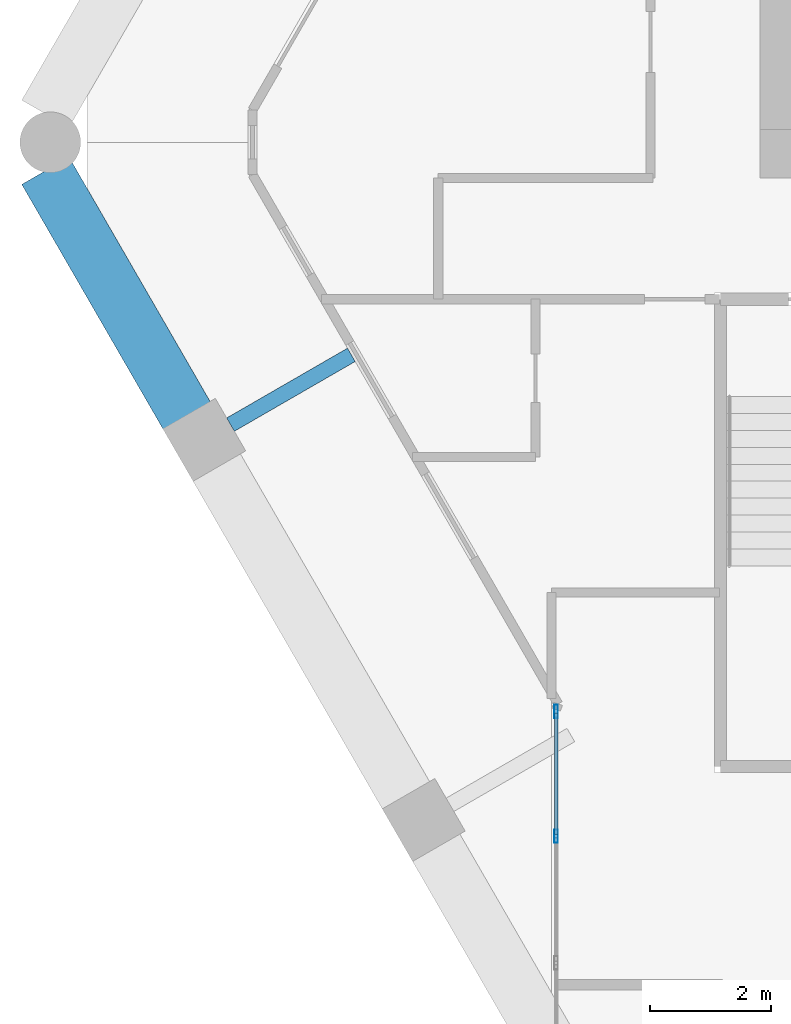
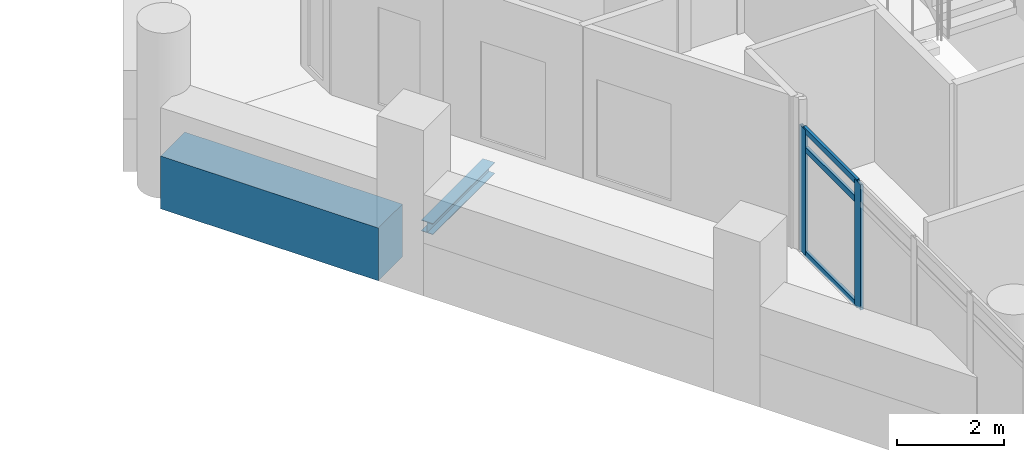
# One storey, part 9 of 29: 5 members, 2 beams, 1 element without a shape of its own.
"""IFC4 building model written with IfcOpenShell, lengths in metres."""

from ifc_helpers import new_model, si_unit, direction, frame, origin, origin_2d, place, context, subcontext, project, spatial, rectangle, hollow_rectangle, i_section, extrude, material, material_profile, profile_set, type_object, element, aggregate, save


model = new_model("IFC4")

# Units and contexts
model_context = context("Model", 3, precision=1e-05, world=origin(), true_north=direction((0.0, 1.0)))
body_context = subcontext(model_context, "Body", "Model", "MODEL_VIEW")
ifc_project = project(units=[si_unit("LENGTHUNIT", "METRE"), si_unit("AREAUNIT", "SQUARE_METRE"), si_unit("VOLUMEUNIT", "CUBIC_METRE"), si_unit("PLANEANGLEUNIT", "RADIAN"), si_unit("MASSUNIT", "GRAM", prefix="KILO")], contexts=[model_context])

# Site, building, storey
site_placement = place(None, origin())
site = spatial("IfcSite", under=ifc_project, at=site_placement, CompositionType="ELEMENT")
building_placement = place(site_placement, origin())
building = spatial("IfcBuilding", under=site, at=building_placement, Name="Ostrander Bayou Hotel Tower", CompositionType="ELEMENT")
storey_placement = place(building_placement, frame((0.0, 0.0, 205.75)))
storey = spatial("IfcBuildingStorey", under=building, at=storey_placement, Name="L51", CompositionType="ELEMENT", Elevation=205.75)

# Curtain wall, members
ifc_material_1 = material(Name="Aluminium and clear glass", Category="aluminium")
curtain_wall_type = type_object("IfcCurtainWallType", Name="CW-BAR glazed wall", PredefinedType="NOTDEFINED", material=ifc_material_1)
curtain_wall_placement = place(storey_placement, origin())
curtain_wall = element("IfcCurtainWall", 1, at=curtain_wall_placement, inside=storey, type_object=curtain_wall_type, Name="CW-BAR L51:SB4S:E", PredefinedType="NOTDEFINED")
ifc_material_2 = material(Name="Aluminium", Category="aluminium")
ifc_material_profile_1 = material_profile(ifc_material_2, hollow_rectangle(XDim=0.06005859375, YDim=0.219970703125, WallThickness=0.00390625, at=origin_2d()))
ifc_profile_set_1 = profile_set([ifc_material_profile_1], Name="Aluminium")
member_type_1 = type_object("IfcMemberType", Name="CW-BR mullion 60 x 220 mm", PredefinedType="MULLION", material=ifc_profile_set_1)
member_1_placement = place(storey_placement, frame((-11.857177734375, -10.49267578125, 0.0), z_axis=(0.0, 0.0, 1.0), x_axis=(1.0, 0.0, 0.0)))
member_1 = element("IfcMember", 2, at=member_1_placement, type_object=member_type_1, Name="CW-BAR mullion 1", PredefinedType="MULLION", context=body_context, shape_type="SweptSolid", body=[
    extrude(hollow_rectangle(XDim=0.06005859375, YDim=0.219970703125, WallThickness=0.00390625, at=origin_2d()), origin(), (0.0, 0.0, 1.0), 2.85009765625),
])
member_2_placement = place(storey_placement, frame((-11.857177734375, -12.550537109375, 0.0), z_axis=(0.0, 0.0, 1.0), x_axis=(1.0, 0.0, 0.0)))
member_2 = element("IfcMember", 3, at=member_2_placement, type_object=member_type_1, Name="CW-BAR mullion 2", PredefinedType="MULLION", context=body_context, shape_type="SweptSolid", body=[
    extrude(hollow_rectangle(XDim=0.06005859375, YDim=0.219970703125, WallThickness=0.00390625, at=origin_2d()), origin(), (0.0, 0.0, 1.0), 2.85009765625),
])
ifc_material_3 = material(Name="Aluminium", Category="aluminium")
ifc_material_profile_2 = material_profile(ifc_material_3, hollow_rectangle(XDim=0.06005859375, YDim=0.1298828125, WallThickness=0.00390625, at=origin_2d()))
ifc_profile_set_2 = profile_set([ifc_material_profile_2], Name="Aluminium")
member_type_2 = type_object("IfcMemberType", Name="CW-BR transom 60 x 130 mm", PredefinedType="USERDEFINED", material=ifc_profile_set_2)
member_3_placement = place(storey_placement, frame((-11.857177734375, -10.522705078125, 0.030029296875), z_axis=(0.0, -1.0, 0.0), x_axis=(1.0, 0.0, 0.0)))
member_3 = element("IfcMember", 4, at=member_3_placement, type_object=member_type_2, Name="CW-BAR transom 1.1", ObjectType="TRANSOM", PredefinedType="USERDEFINED", context=body_context, shape_type="SweptSolid", body=[
    extrude(hollow_rectangle(XDim=0.06005859375, YDim=0.1298828125, WallThickness=0.00390625, at=origin_2d()), origin(), (0.0, 0.0, 1.0), 1.997802734375),
])
member_4_placement = place(storey_placement, frame((-11.857177734375, -10.522705078125, 2.39990234375), z_axis=(0.0, -1.0, 0.0), x_axis=(1.0, 0.0, 0.0)))
member_4 = element("IfcMember", 5, at=member_4_placement, type_object=member_type_2, Name="CW-BAR transom 1.2", ObjectType="TRANSOM", PredefinedType="USERDEFINED", context=body_context, shape_type="SweptSolid", body=[
    extrude(hollow_rectangle(XDim=0.06005859375, YDim=0.1298828125, WallThickness=0.00390625, at=origin_2d()), origin(), (0.0, 0.0, 1.0), 1.997802734375),
])
member_5_placement = place(storey_placement, frame((-11.857177734375, -10.522705078125, 2.820068359375), z_axis=(0.0, -1.0, 0.0), x_axis=(1.0, 0.0, 0.0)))
member_5 = element("IfcMember", 6, at=member_5_placement, type_object=member_type_2, Name="CW-BAR transom 1.3", ObjectType="TRANSOM", PredefinedType="USERDEFINED", context=body_context, shape_type="SweptSolid", body=[
    extrude(hollow_rectangle(XDim=0.06005859375, YDim=0.1298828125, WallThickness=0.00390625, at=origin_2d()), origin(), (0.0, 0.0, 1.0), 1.997802734375),
])
aggregate(curtain_wall, [member_1, member_2, member_3, member_4, member_5])

# Beams
ifc_material_4 = material(Name="Steel ASTM A992", Category="steel")
ifc_material_profile_3 = material_profile(ifc_material_4, i_section(OverallWidth=0.25390625, OverallDepth=0.25341796875, WebThickness=0.008544921875, FlangeThickness=0.01416015625, at=origin_2d()))
ifc_profile_set_3 = profile_set([ifc_material_profile_3], Name="Steel ASTM A992")
beam_type_1 = type_object("IfcBeamType", Name="LB2 loggia bracket W10x49", PredefinedType="BEAM", material=ifc_profile_set_3)
beam_1_placement = place(storey_placement, frame((-17.224365234375, -5.7666015625, -0.4267578125), z_axis=(0.866053019151, 0.499952165731, 0.0), x_axis=(-0.499952165731, 0.866053019151, 0.0)))
element("IfcBeam", 7, at=beam_1_placement, inside=storey, type_object=beam_type_1, Name="LB2 L51 SW1", PredefinedType="BEAM", context=body_context, shape_type="SweptSolid", body=[
    extrude(i_section(OverallWidth=0.25390625, OverallDepth=0.25341796875, WebThickness=0.008544921875, FlangeThickness=0.01416015625, at=origin_2d()), origin(), (0.0, 0.0, 1.0), 2.300048828125),
])
ifc_material_5 = material(Name="Concrete f'c 60 MPa", Category="concrete")
ifc_material_profile_4 = material_profile(ifc_material_5, rectangle(XDim=0.89990234375, YDim=1.199951171875, at=origin_2d()))
ifc_profile_set_4 = profile_set([ifc_material_profile_4], Name="Concrete f'c 60 MPa")
beam_type_2 = type_object("IfcBeamType", Name="SP3 spandrel beam 900 x 1200 mm f'c 60 MPa", PredefinedType="SPANDREL", material=ifc_profile_set_4)
beam_2_placement = place(storey_placement, frame((-20.275146484375, -1.58251953125, -0.60009765625), z_axis=(0.500028081597, -0.86600919026, 0.0), x_axis=(0.86600919026, 0.500028081597, 0.0)))
element("IfcBeam", 8, at=beam_2_placement, inside=storey, type_object=beam_type_2, Name="SP3 L51 SW-1", PredefinedType="SPANDREL", context=body_context, shape_type="SweptSolid", body=[
    extrude(rectangle(XDim=0.89990234375, YDim=1.199951171875, at=origin_2d()), origin(), (0.0, 0.0, 1.0), 4.678955078125),
])

save(model, "model.ifc")
